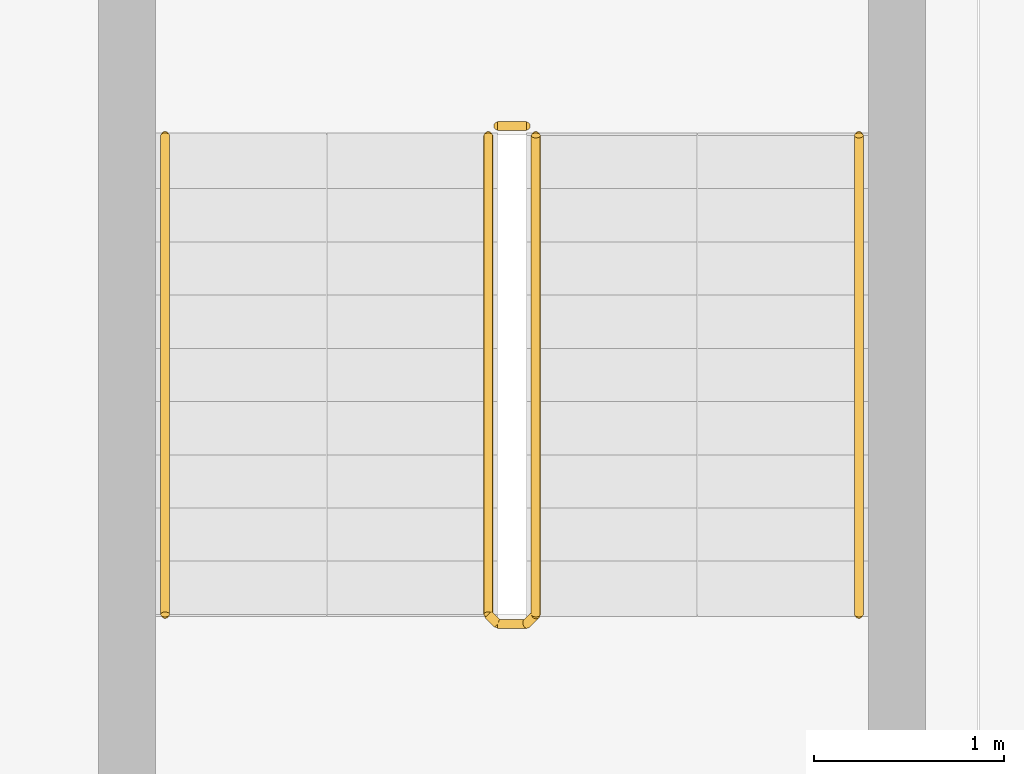
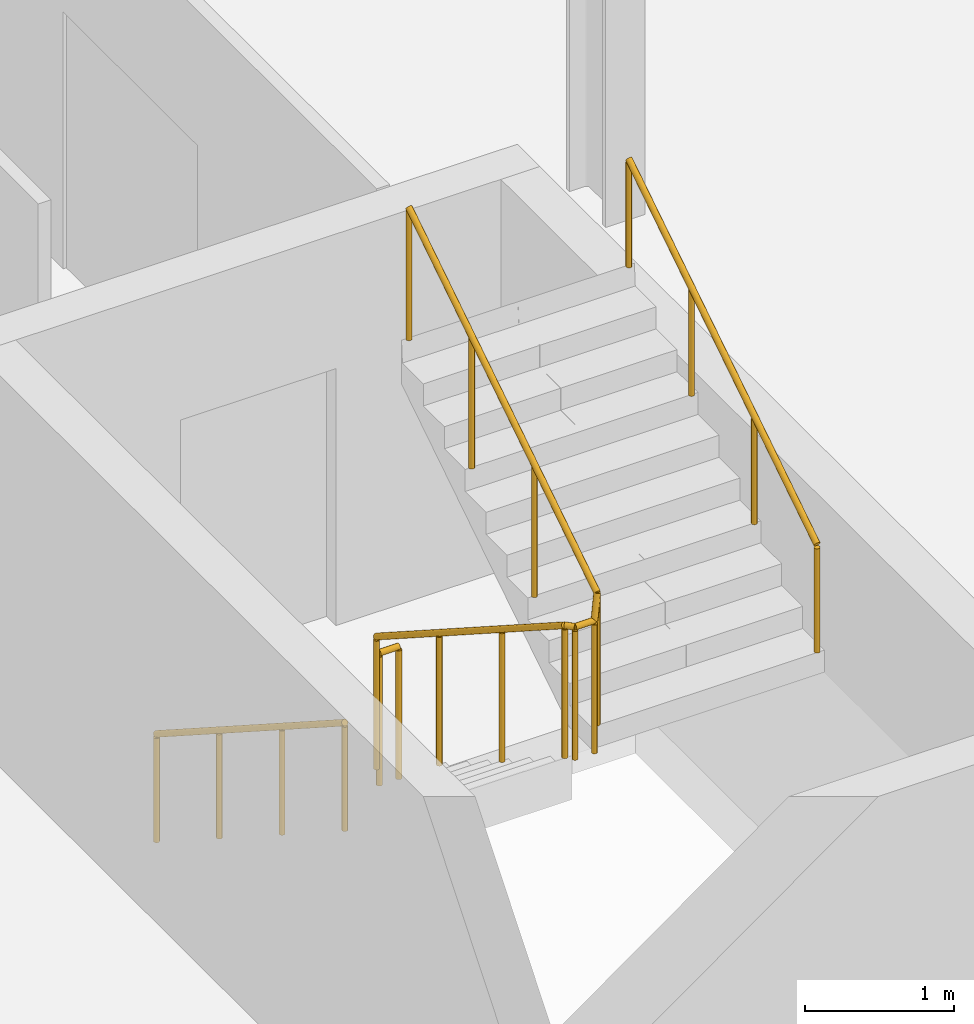
# One storey, part 24 of 26: 4 railings.
"""IFC4 building model written with IfcOpenShell, lengths in metres."""

from ifc_helpers import new_model, si_unit, direction, frame, origin, origin_2d, place, context, subcontext, project, spatial, circle, extrude, material, type_object, element, save


model = new_model("IFC4")

# Units and contexts
model_context = context("Model", 3, precision=1e-05, world=origin(), true_north=direction((0.0, 1.0)))
body_context = subcontext(model_context, "Body", "Model", "MODEL_VIEW")
ifc_project = project(units=[si_unit("LENGTHUNIT", "METRE"), si_unit("AREAUNIT", "SQUARE_METRE"), si_unit("VOLUMEUNIT", "CUBIC_METRE"), si_unit("PLANEANGLEUNIT", "RADIAN"), si_unit("MASSUNIT", "GRAM", prefix="KILO")], contexts=[model_context])

# Site, building, storey
site_placement = place(None, origin())
site = spatial("IfcSite", under=ifc_project, at=site_placement, CompositionType="ELEMENT")
building_placement = place(site_placement, origin())
building = spatial("IfcBuilding", under=site, at=building_placement, Name="Wharfspan Tower", CompositionType="ELEMENT")
storey_placement = place(building_placement, frame((0.0, 0.0, 96.699951)))
storey = spatial("IfcBuildingStorey", under=building, at=storey_placement, Name="L21", CompositionType="ELEMENT", Elevation=96.699951)

# Railings
ifc_material = material(Name="Steel S355J2", Category="steel")
railing_type_1 = type_object("IfcRailingType", Name="Stair guard 1100", PredefinedType="GUARDRAIL", material=ifc_material)
railing_1_placement = place(storey_placement, frame((43.235352, 6.316895, 0.179932)))
element("IfcRailing", 1, at=railing_1_placement, inside=storey, type_object=railing_type_1, Name="L21 ST4 stair guard 1", PredefinedType="GUARDRAIL", context=body_context, shape_type="SweptSolid", body=[
    extrude(circle(Radius=0.023926, at=origin_2d()), frame((0.0, 0.0, 1.076172), z_axis=(0.0, -0.841163, 0.540782), x_axis=(1.0, 0.0, 0.0)), (0.0, 0.0, 1.0), 2.99585),
    extrude(circle(Radius=0.023926, at=origin_2d()), frame((0.0, -2.52002, 2.696289), z_axis=(0.707107, -0.707107, 0.0), x_axis=(0.707107, 0.707107, 0.0)), (0.0, 0.0, 1.0), 0.070312),
    extrude(circle(Radius=0.023926, at=origin_2d()), frame((0.049805, -2.569824, 2.696289), z_axis=(1.0, 0.0, 0.0), x_axis=(0.0, 1.0, 0.0)), (0.0, 0.0, 1.0), 0.150146),
    extrude(circle(Radius=0.023926, at=origin_2d()), frame((0.199951, -2.569824, 2.696289), z_axis=(0.258932, 0.257669, 0.930892), x_axis=(-0.705372, 0.708833, -1e-06)), (0.0, 0.0, 1.0), 0.193359),
    extrude(circle(Radius=0.023926, at=origin_2d()), frame((0.25, -2.52002, 2.875977), z_axis=(0.0, 0.841163, 0.540782), x_axis=(-1.0, 0.0, 0.0)), (0.0, 0.0, 1.0), 2.99585),
    extrude(circle(Radius=0.020996, at=origin_2d()), origin(), (0.0, 0.0, 1.0), 1.052002),
    extrude(circle(Radius=0.020996, at=origin_2d()), frame((0.0, -0.840088, 0.540039)), (0.0, 0.0, 1.0), 1.052002),
    extrude(circle(Radius=0.020996, at=origin_2d()), frame((0.0, -1.679932, 1.080078)), (0.0, 0.0, 1.0), 1.052002),
    extrude(circle(Radius=0.020996, at=origin_2d()), frame((0.0, -2.52002, 1.620117)), (0.0, 0.0, 1.0), 1.052002),
    extrude(circle(Radius=0.020996, at=origin_2d()), frame((0.049805, -2.569824, 1.620117)), (0.0, 0.0, 1.0), 1.052002),
    extrude(circle(Radius=0.020996, at=origin_2d()), frame((0.199951, -2.569824, 1.620117)), (0.0, 0.0, 1.0), 1.052002),
    extrude(circle(Radius=0.020996, at=origin_2d()), frame((0.25, -2.52002, 1.800049)), (0.0, 0.0, 1.0), 1.052002),
    extrude(circle(Radius=0.020996, at=origin_2d()), frame((0.25, -1.679932, 2.340088)), (0.0, 0.0, 1.0), 1.052002),
    extrude(circle(Radius=0.020996, at=origin_2d()), frame((0.25, -0.840088, 2.880127)), (0.0, 0.0, 1.0), 1.052002),
    extrude(circle(Radius=0.020996, at=origin_2d()), frame((0.25, 0.0, 3.420166)), (0.0, 0.0, 1.0), 1.052002),
])
railing_2_placement = place(storey_placement, frame((43.285156, 6.366943, 0.0)))
element("IfcRailing", 2, at=railing_2_placement, inside=storey, type_object=railing_type_1, Name="L21 ST4 stair guard 2", PredefinedType="GUARDRAIL", context=body_context, shape_type="SweptSolid", body=[
    extrude(circle(Radius=0.023926, at=origin_2d()), frame((0.0, 0.0, 1.076172), z_axis=(1.0, 0.0, 0.0), x_axis=(0.0, 1.0, 0.0)), (0.0, 0.0, 1.0), 0.150146),
    extrude(circle(Radius=0.020996, at=origin_2d()), origin(), (0.0, 0.0, 1.0), 1.052002),
    extrude(circle(Radius=0.020996, at=origin_2d()), frame((0.150146, 0.0, 0.0)), (0.0, 0.0, 1.0), 1.052002),
])
railing_type_2 = type_object("IfcRailingType", Name="Stair handrail 900", PredefinedType="HANDRAIL", material=ifc_material)
railing_3_placement = place(storey_placement, frame((41.535156, 6.316895, 0.179932)))
element("IfcRailing", 3, at=railing_3_placement, inside=storey, type_object=railing_type_2, Name="L21 ST4 stair handrail 1", PredefinedType="HANDRAIL", context=body_context, shape_type="SweptSolid", body=[
    extrude(circle(Radius=0.023926, at=origin_2d()), frame((0.0, 0.0, 0.875977), z_axis=(0.0, -0.841163, 0.540782), x_axis=(1.0, 0.0, 0.0)), (0.0, 0.0, 1.0), 2.99585),
    extrude(circle(Radius=0.020996, at=origin_2d()), origin(), (0.0, 0.0, 1.0), 0.851807),
    extrude(circle(Radius=0.020996, at=origin_2d()), frame((0.0, -0.840088, 0.540039)), (0.0, 0.0, 1.0), 0.851807),
    extrude(circle(Radius=0.020996, at=origin_2d()), frame((0.0, -1.679932, 1.080078)), (0.0, 0.0, 1.0), 0.851807),
    extrude(circle(Radius=0.020996, at=origin_2d()), frame((0.0, -2.52002, 1.620117)), (0.0, 0.0, 1.0), 0.851807),
])
railing_4_placement = place(storey_placement, frame((45.185303, 3.796875, 1.97998)))
element("IfcRailing", 4, at=railing_4_placement, inside=storey, type_object=railing_type_2, Name="L21 ST4 stair handrail 2", PredefinedType="HANDRAIL", context=body_context, shape_type="SweptSolid", body=[
    extrude(circle(Radius=0.023926, at=origin_2d()), frame((0.0, 0.0, 0.875977), z_axis=(0.0, 0.841163, 0.540782), x_axis=(-1.0, 0.0, 0.0)), (0.0, 0.0, 1.0), 2.99585),
    extrude(circle(Radius=0.020996, at=origin_2d()), origin(), (0.0, 0.0, 1.0), 0.851807),
    extrude(circle(Radius=0.020996, at=origin_2d()), frame((0.0, 0.840088, 0.540039)), (0.0, 0.0, 1.0), 0.851807),
    extrude(circle(Radius=0.020996, at=origin_2d()), frame((0.0, 1.679932, 1.080078)), (0.0, 0.0, 1.0), 0.851807),
    extrude(circle(Radius=0.020996, at=origin_2d()), frame((0.0, 2.52002, 1.620117)), (0.0, 0.0, 1.0), 0.851807),
])

save(model, "model.ifc")
